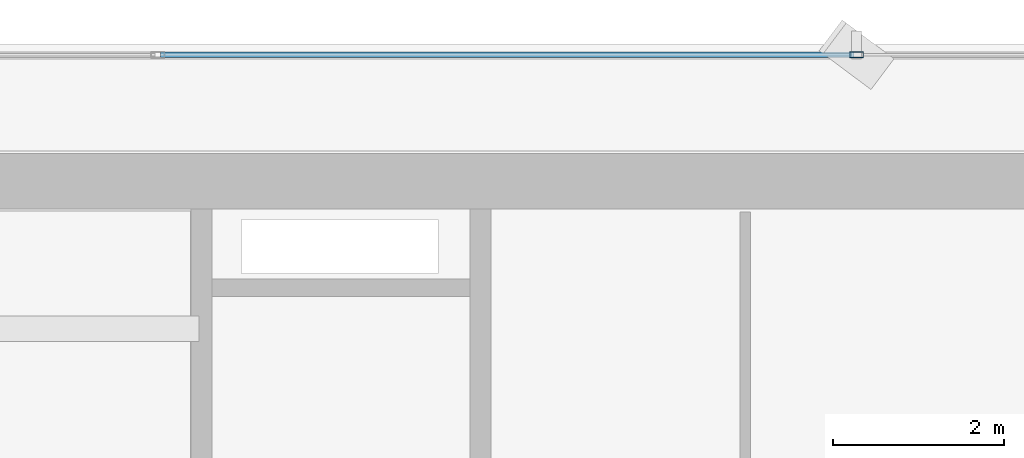
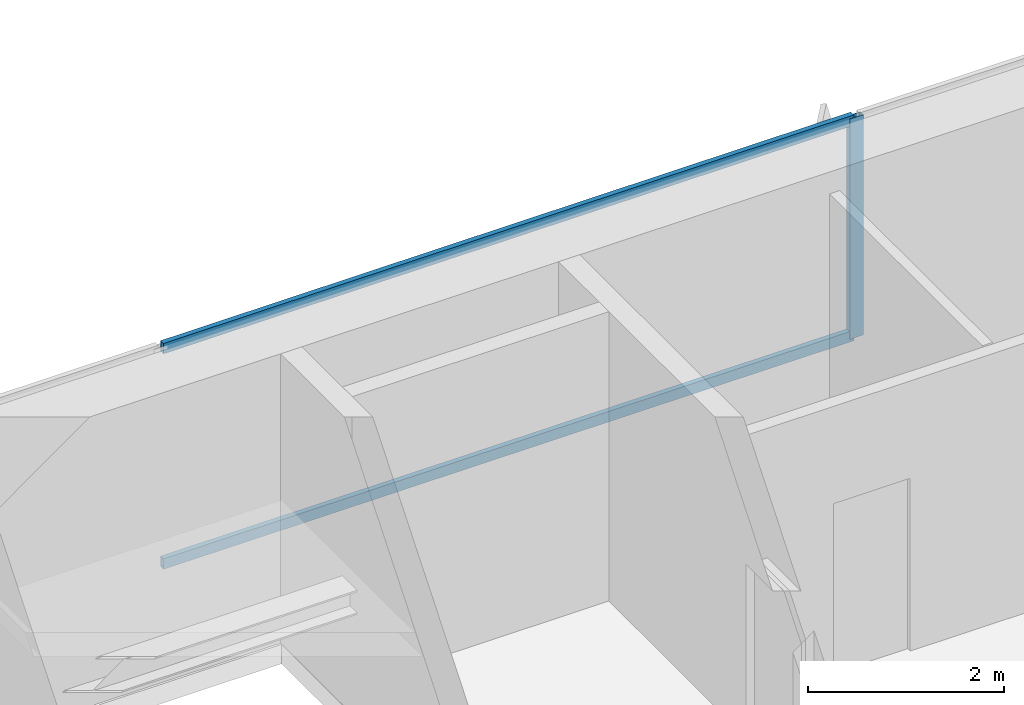
# One storey, part 21 of 36: 3 members, 1 element without a shape of its own.
"""IFC4 building model written with IfcOpenShell, lengths in metres."""

from ifc_helpers import new_model, si_unit, direction, frame, origin, origin_2d, place, context, subcontext, project, spatial, hollow_rectangle, extrude, source, transform, mapped, material, layer, layer_set, material_profile, profile_set, type_object, element, aggregate, save


model = new_model("IFC4")

# Units and contexts
model_context = context("Model", 3, precision=1e-05, world=origin(), true_north=direction((0.0, 1.0)))
body_context = subcontext(model_context, "Body", "Model", "MODEL_VIEW")
ifc_project = project(units=[si_unit("LENGTHUNIT", "METRE"), si_unit("AREAUNIT", "SQUARE_METRE"), si_unit("VOLUMEUNIT", "CUBIC_METRE"), si_unit("PLANEANGLEUNIT", "RADIAN"), si_unit("MASSUNIT", "GRAM", prefix="KILO")], contexts=[model_context])

# Site, building, storey
site_placement = place(None, origin())
site = spatial("IfcSite", under=ifc_project, at=site_placement, CompositionType="ELEMENT")
building_placement = place(site_placement, origin())
building = spatial("IfcBuilding", under=site, at=building_placement, Name="Sumidabori Civic Tower", CompositionType="ELEMENT")
storey_placement = place(building_placement, frame((0.0, 0.0, 113.60009765625)))
storey = spatial("IfcBuildingStorey", under=building, at=storey_placement, Name="L29", CompositionType="ELEMENT", Elevation=113.60009765625)

# Curtain wall, members
ifc_material = material(Name="Anodised Bronze Aluminium AW-6063-T6", Category="aluminium")
ifc_layer = layer(ifc_material, 0.179931640625, Name="Anodised Bronze Aluminium AW-6063-T6")
ifc_layer_set = layer_set([ifc_layer], Name="Anodised Bronze Aluminium AW-6063-T6")
curtain_wall_type = type_object("IfcCurtainWallType", Name="CW-SYS-3", PredefinedType="NOTDEFINED", material=ifc_layer_set)
curtain_wall_placement = place(storey_placement, origin())
curtain_wall = element("IfcCurtainWall", 1, at=curtain_wall_placement, inside=storey, type_object=curtain_wall_type, Name="Curtain Wall CW:L29:R07", PredefinedType="NOTDEFINED")
ifc_material_profile_1 = material_profile(ifc_material, hollow_rectangle(XDim=0.06494140625, YDim=0.159912109375, WallThickness=0.0048828125, at=origin_2d()), Name="ALU MULLION 160x65")
ifc_profile_set_1 = profile_set([ifc_material_profile_1], Name="Anodised Bronze Aluminium AW-6063-T6")
member_type_1 = type_object("IfcMemberType", Name="CW-MUL-160", PredefinedType="MULLION", material=ifc_profile_set_1)
shared_shape_1 = source(origin(), body_context, "Body", "SweptSolid", [
    extrude(hollow_rectangle(XDim=0.06494140625, YDim=0.159912109375, WallThickness=0.0048828125, at=origin_2d()), origin(), (0.0, 0.0, 1.0), 2.739990234375),
])
member_1_placement = place(storey_placement, frame((-4.093994140625, 25.280029296875, 0.0), z_axis=(0.0, 0.0, 1.0), x_axis=(0.0, -1.0, 0.0)))
member_1 = element("IfcMember", 2, at=member_1_placement, type_object=member_type_1, Name="CW-3 mullion 4", PredefinedType="MULLION", context=body_context, shape_type="MappedRepresentation", body=[
    mapped(shared_shape_1, transform((0.0, 0.0, 0.0), x_axis=(1.0, 0.0, 0.0), y_axis=(0.0, 1.0, 0.0), z_axis=(0.0, 0.0, 1.0), scale=1.0)),
])
ifc_material_profile_2 = material_profile(ifc_material, hollow_rectangle(XDim=0.06005859375, YDim=0.1298828125, WallThickness=0.0048828125, at=origin_2d()), Name="ALU TRANSOM 130x60")
ifc_profile_set_2 = profile_set([ifc_material_profile_2], Name="Anodised Bronze Aluminium AW-6063-T6")
member_type_2 = type_object("IfcMemberType", Name="CW-TRN-130", PredefinedType="USERDEFINED", material=ifc_profile_set_2)
shared_shape_2 = source(origin(), body_context, "Body", "SweptSolid", [
    extrude(hollow_rectangle(XDim=0.06005859375, YDim=0.1298828125, WallThickness=0.0048828125, at=origin_2d()), origin(), (0.0, 0.0, 1.0), 8.123046875),
])
member_2_placement = place(storey_placement, frame((-4.12646484375, 25.280029296875, 0.02978515625), z_axis=(-1.0, 0.0, 0.0), x_axis=(0.0, -1.0, 0.0)))
member_2 = element("IfcMember", 3, at=member_2_placement, type_object=member_type_2, Name="CW-3 transom 4.1", ObjectType="TRANSOM", PredefinedType="USERDEFINED", context=body_context, shape_type="MappedRepresentation", body=[
    mapped(shared_shape_2, transform((0.0, 0.0, 0.0), x_axis=(1.0, 0.0, 0.0), y_axis=(0.0, 1.0, 0.0), z_axis=(0.0, 0.0, 1.0), scale=1.0)),
])
member_3_placement = place(storey_placement, frame((-4.12646484375, 25.280029296875, 2.7099609375), z_axis=(-1.0, 0.0, 0.0), x_axis=(0.0, -1.0, 0.0)))
member_3 = element("IfcMember", 4, at=member_3_placement, type_object=member_type_2, Name="CW-3 transom 4.2", ObjectType="TRANSOM", PredefinedType="USERDEFINED", context=body_context, shape_type="MappedRepresentation", body=[
    mapped(shared_shape_2, transform((0.0, 0.0, 0.0), x_axis=(1.0, 0.0, 0.0), y_axis=(0.0, 1.0, 0.0), z_axis=(0.0, 0.0, 1.0), scale=1.0)),
])
aggregate(curtain_wall, [member_1, member_2, member_3])

save(model, "model.ifc")
